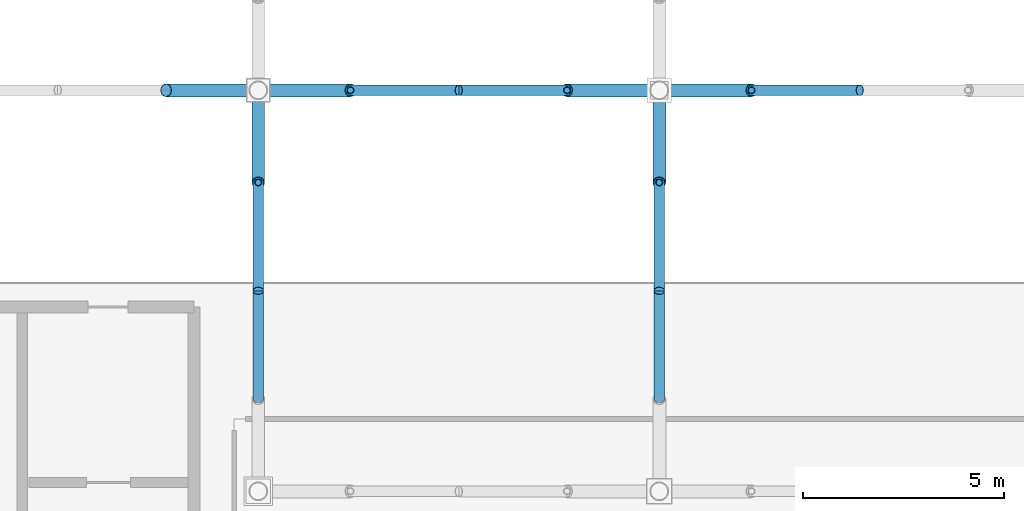
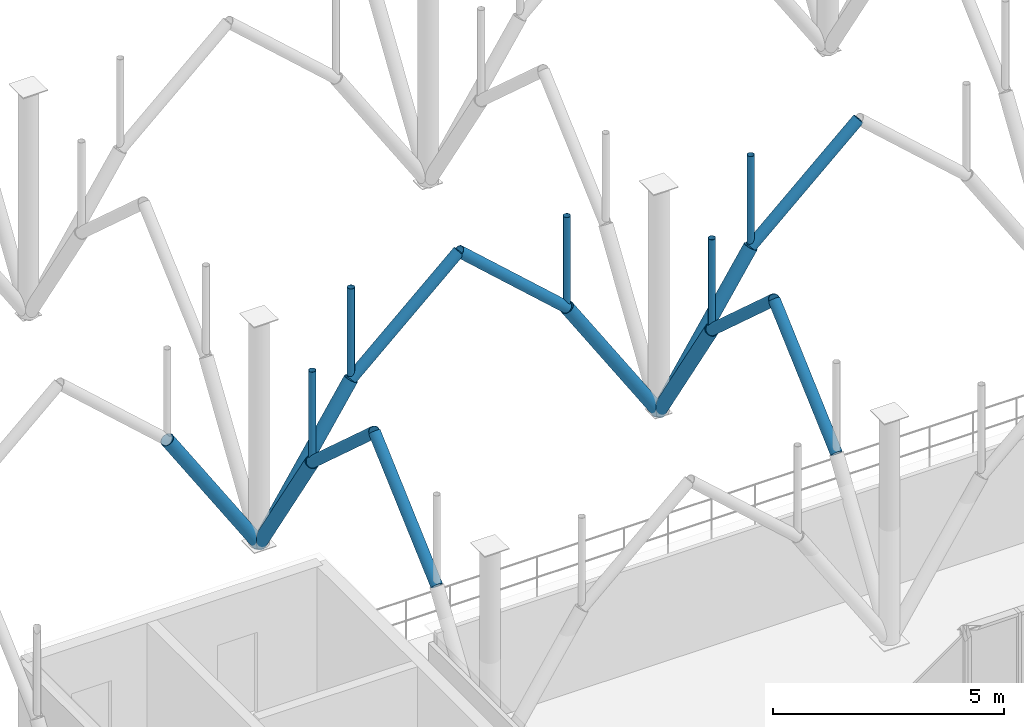
# One storey, part 39 of 109: 18 members.
"""IFC4 building model written with IfcOpenShell, lengths in metres."""

from ifc_helpers import new_model, si_unit, derived_unit, direction, frame, origin, origin_2d_with_axis, place, context, subcontext, project, spatial, hollow_circle, extrude, material, material_profile, profile_set, type_object, element, save


model = new_model("IFC4")

# Units and contexts
model_context = context("Model", 3, precision=1e-05, world=origin(), true_north=direction((0.0, 1.0)))
body_context = subcontext(model_context, "Body", "Model", "MODEL_VIEW")
ifc_project = project(units=[si_unit("LENGTHUNIT", "METRE"), si_unit("AREAUNIT", "SQUARE_METRE"), si_unit("VOLUMEUNIT", "CUBIC_METRE"), si_unit("PLANEANGLEUNIT", "RADIAN"), si_unit("MASSUNIT", "GRAM", prefix="KILO"), derived_unit("THERMALTRANSMITTANCEUNIT", [(si_unit("POWERUNIT", "WATT"), 1), (si_unit("LENGTHUNIT", "METRE"), -2), (si_unit("THERMODYNAMICTEMPERATUREUNIT", "KELVIN"), -1)])], contexts=[model_context])

# Site, building, storey
site_placement = place(None, origin())
site = spatial("IfcSite", under=ifc_project, at=site_placement, CompositionType="ELEMENT")
building_placement = place(site_placement, origin())
building = spatial("IfcBuilding", under=site, at=building_placement, Name="Cinnabar Yard Market Hall", CompositionType="ELEMENT")
storey_placement = place(building_placement, frame((0.0, 0.0, 8.39990234375)))
storey = spatial("IfcBuildingStorey", under=building, at=storey_placement, Name="L02", CompositionType="ELEMENT", Elevation=8.39990234375)

# Members
ifc_material_1 = material(Name="Spotted-gum glulam-clad steel Grade 350 (350 MPa)", Category="steel")
ifc_material_profile_1 = material_profile(ifc_material_1, hollow_circle(Radius=0.136474609375, WallThickness=0.00927734375, at=origin_2d_with_axis()), Name="273.1x9.3CHS")
ifc_profile_set_1 = profile_set([ifc_material_profile_1], Name="Spotted-gum glulam-clad steel Grade 350 (350 MPa)")
member_type_1 = type_object("IfcMemberType", Name="MB-AR01", PredefinedType="USERDEFINED", material=ifc_profile_set_1)
for number, where, z_axis, x_axis, name in (
    (1, (96.0, 26.300048828125, 3.550048828125), (0.0, 0.743297488271, 0.668961018244), (-1.0, 0.0, 0.0), "Pointed Arch Rib 0031"),
    (2, (98.300048828125, 34.0, 3.550048828125), (0.743297488271, 0.0, 0.668961018244), (0.0, 1.0, 0.0), "Pointed Arch Rib 0032"),
    (3, (96.0, 31.699951171875, 3.550048828125), (0.0, -0.743297488271, 0.668961018244), (1.0, 0.0, 0.0), "Pointed Arch Rib 0035"),
    (4, (106.0, 26.300048828125, 3.550048828125), (0.0, 0.743297488271, 0.668961018244), (-1.0, 0.0, 0.0), "Pointed Arch Rib 0048"),
    (5, (108.300048828125, 34.0, 3.550048828125), (0.743297488271, 0.0, 0.668961018244), (0.0, 1.0, 0.0), "Pointed Arch Rib 0049"),
    (6, (103.699951171875, 34.0, 3.550048828125), (-0.743297488271, 0.0, 0.668961018244), (0.0, -1.0, 0.0), "Pointed Arch Rib 0050"),
    (7, (106.0, 31.699951171875, 3.550048828125), (0.0, -0.743297488271, 0.668961018244), (1.0, 0.0, 0.0), "Pointed Arch Rib 0052"),
):
    element("IfcMember", number, at=place(storey_placement, frame(where, z_axis=z_axis, x_axis=x_axis)), inside=storey, type_object=member_type_1, Name=name, ObjectType="ARCH RIB", PredefinedType="USERDEFINED", context=body_context, shape_type="SweptSolid", body=[
        extrude(hollow_circle(Radius=0.136474609375, WallThickness=0.00927734375, at=origin_2d_with_axis()), origin(), (0.0, 0.0, 1.0), 3.63232421875),
    ])
ifc_material_profile_2 = material_profile(ifc_material_1, hollow_circle(Radius=0.161865234375, WallThickness=0.009521484375, at=origin_2d_with_axis()), Name="323.9x9.5CHS")
ifc_profile_set_2 = profile_set([ifc_material_profile_2], Name="Spotted-gum glulam-clad steel Grade 350 (350 MPa)")
member_type_2 = type_object("IfcMemberType", Name="MB-ST01", PredefinedType="STRUT", material=ifc_profile_set_2)
for number, where, z_axis, x_axis, name in (
    (8, (96.0, 34.0, 0.0), (0.543744165176, 0.0, 0.839251024925), (0.0, 1.0, 0.0), "Curved Branch Arm Lower 0032"),
    (9, (96.0, 34.0, 0.0), (-0.543744165176, 0.0, 0.839251024925), (0.0, -1.0, 0.0), "Curved Branch Arm Lower 0033"),
    (10, (96.0, 34.0, 0.0), (0.0, -0.543744165176, 0.839251024925), (1.0, 0.0, 0.0), "Curved Branch Arm Lower 0035"),
    (11, (106.0, 34.0, 0.0), (0.543744165176, 0.0, 0.839251024925), (0.0, 1.0, 0.0), "Curved Branch Arm Lower 0049"),
    (12, (106.0, 34.0, 0.0), (-0.543744165176, 0.0, 0.839251024925), (0.0, -1.0, 0.0), "Curved Branch Arm Lower 0050"),
    (13, (106.0, 34.0, 0.0), (0.0, -0.543744165176, 0.839251024925), (1.0, 0.0, 0.0), "Curved Branch Arm Lower 0052"),
):
    element("IfcMember", number, at=place(storey_placement, frame(where, z_axis=z_axis, x_axis=x_axis)), inside=storey, type_object=member_type_2, Name=name, PredefinedType="STRUT", context=body_context, shape_type="SweptSolid", body=[
        extrude(hollow_circle(Radius=0.161865234375, WallThickness=0.009521484375, at=origin_2d_with_axis()), origin(), (0.0, 0.0, 1.0), 4.22998046875),
    ])
ifc_material_2 = material(Name="Cold-formed steel C350L0", Category="steel")
ifc_material_profile_3 = material_profile(ifc_material_2, hollow_circle(Radius=0.084228515625, WallThickness=0.00634765625, at=origin_2d_with_axis()), Name="168.3x6.4CHS")
ifc_profile_set_3 = profile_set([ifc_material_profile_3], Name="Cold-formed steel C350L0")
member_type_3 = type_object("IfcMemberType", Name="MB-WB01", PredefinedType="STRUT", material=ifc_profile_set_3)
for number, where, z_axis, x_axis, name in (
    (14, (98.300048828125, 34.0, 3.550048828125), (0.0, 0.0, 1.0), (1.0, 0.0, 0.0), "Arch Spandrel Post 0032"),
    (15, (96.0, 31.699951171875, 3.550048828125), (0.0, 0.0, 1.0), (1.0, 0.0, 0.0), "Arch Spandrel Post 0035"),
    (16, (108.300048828125, 34.0, 3.550048828125), (0.0, 0.0, 1.0), (1.0, 0.0, 0.0), "Arch Spandrel Post 0049"),
    (17, (103.699951171875, 34.0, 3.550048828125), (0.0, 0.0, 1.0), (1.0, 0.0, 0.0), "Arch Spandrel Post 0050"),
    (18, (106.0, 31.699951171875, 3.550048828125), (0.0, 0.0, 1.0), (1.0, 0.0, 0.0), "Arch Spandrel Post 0052"),
):
    element("IfcMember", number, at=place(storey_placement, frame(where, z_axis=z_axis, x_axis=x_axis)), inside=storey, type_object=member_type_3, Name=name, PredefinedType="STRUT", context=body_context, shape_type="SweptSolid", body=[
        extrude(hollow_circle(Radius=0.084228515625, WallThickness=0.00634765625, at=origin_2d_with_axis()), origin(), (0.0, 0.0, 1.0), 2.429931640625),
    ])

save(model, "model.ifc")
